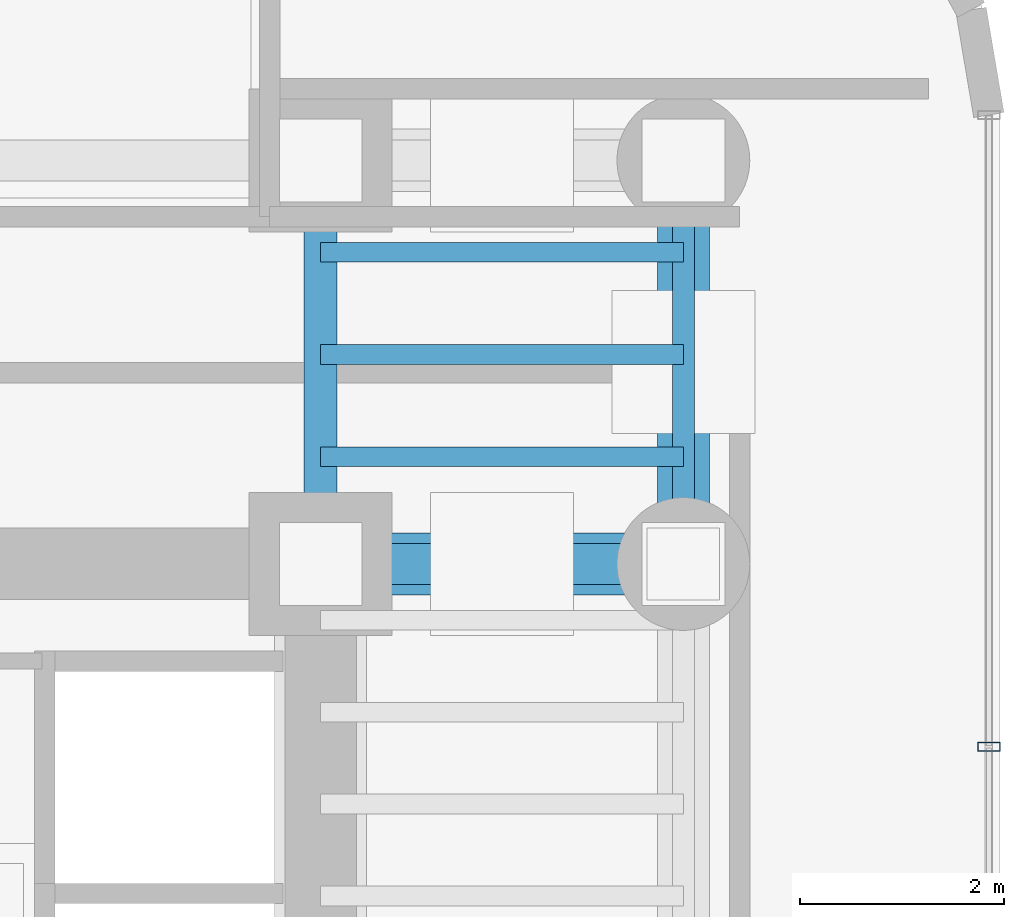
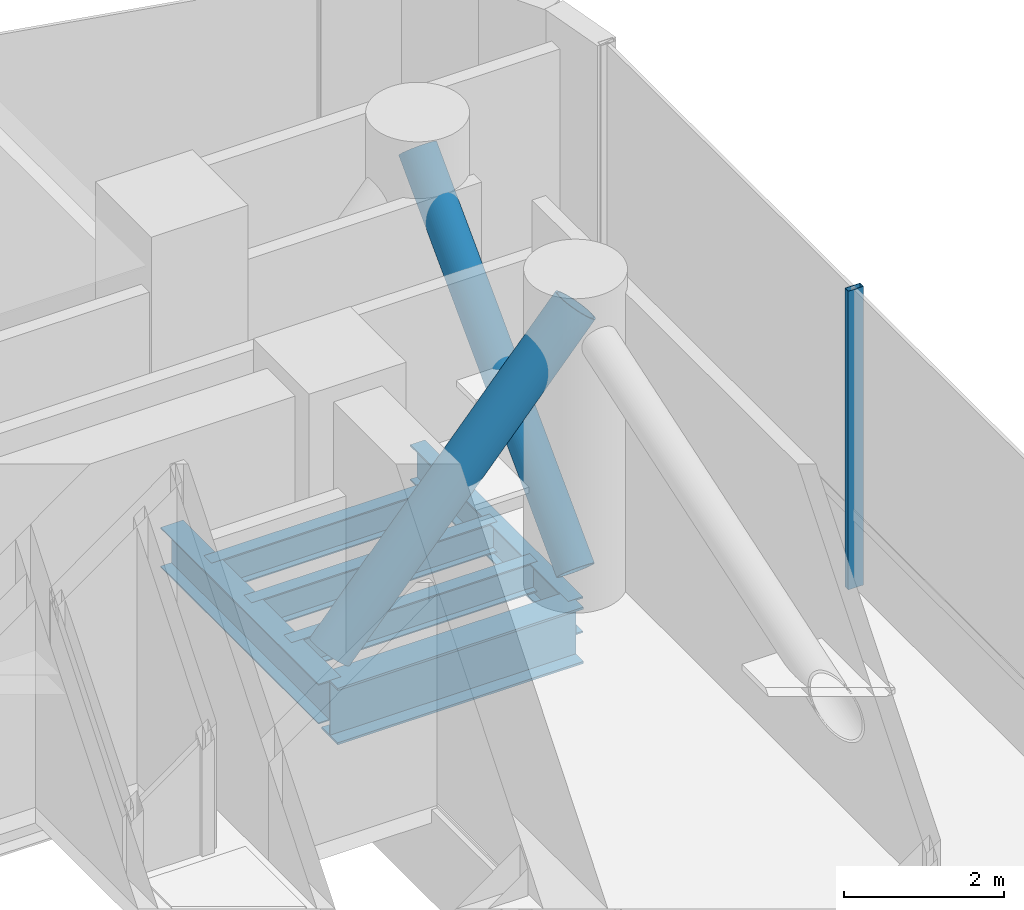
# One storey, part 21 of 39: 6 beams, 3 members, 1 element without a shape of its own.
"""IFC4 building model written with IfcOpenShell, lengths in metres."""

from ifc_helpers import new_model, si_unit, direction, frame, origin, origin_2d, place, context, subcontext, project, spatial, hollow_rectangle, hollow_circle, i_section, extrude, source, transform, mapped, material, material_profile, profile_set, type_object, element, aggregate, save


model = new_model("IFC4")

# Units and contexts
model_context = context("Model", 3, precision=1e-05, world=origin(), true_north=direction((0.0, 1.0)))
body_context = subcontext(model_context, "Body", "Model", "MODEL_VIEW")
ifc_project = project(units=[si_unit("LENGTHUNIT", "METRE"), si_unit("AREAUNIT", "SQUARE_METRE"), si_unit("VOLUMEUNIT", "CUBIC_METRE"), si_unit("PLANEANGLEUNIT", "RADIAN"), si_unit("MASSUNIT", "GRAM", prefix="KILO")], contexts=[model_context])

# Site, building, storey
site_placement = place(None, origin())
site = spatial("IfcSite", under=ifc_project, at=site_placement, CompositionType="ELEMENT")
building_placement = place(site_placement, origin())
building = spatial("IfcBuilding", under=site, at=building_placement, Name="Valdorenza Pilgrim Sanctuary Tower", CompositionType="ELEMENT")
storey_placement = place(building_placement, frame((0.0, 0.0, 96.300048828125)))
storey = spatial("IfcBuildingStorey", under=building, at=storey_placement, Name="L24", CompositionType="ELEMENT", Elevation=96.300048828125)

# Beams
ifc_material_1 = material(Name="Steel ASTM A992 Grade 50", Category="steel")
ifc_material_profile_1 = material_profile(ifc_material_1, i_section(OverallWidth=0.323974609375, OverallDepth=0.611083984375, WebThickness=0.0126953125, FlangeThickness=0.01904296875, at=origin_2d()), Name="W24X104")
ifc_profile_set_1 = profile_set([ifc_material_profile_1], Name="Steel ASTM A992 Grade 50")
beam_type_1 = type_object("IfcBeamType", Name="STR-BM-GRD-W24B", PredefinedType="BEAM", material=ifc_profile_set_1)
shared_shape_1 = source(origin(), body_context, "Body", "SweptSolid", [
    extrude(i_section(OverallWidth=0.323974609375, OverallDepth=0.611083984375, WebThickness=0.0126953125, FlangeThickness=0.01904296875, at=origin_2d()), origin(), (0.0, 0.0, 1.0), 3.949951171875),
])
beam_1_placement = place(storey_placement, frame((24.85009765625, 9.550048828125, -0.545654296875), z_axis=(0.0, 1.0, 0.0), x_axis=(-1.0, 0.0, 0.0)))
element("IfcBeam", 1, at=beam_1_placement, inside=storey, type_object=beam_type_1, Name="L24 Core Tie Girder CB-E-N1N2", PredefinedType="BEAM", context=body_context, shape_type="MappedRepresentation", body=[
    mapped(shared_shape_1, transform((0.0, 0.0, 0.0), x_axis=(1.0, 0.0, 0.0), y_axis=(0.0, 1.0, 0.0), z_axis=(0.0, 0.0, 1.0), scale=1.0)),
])
ifc_material_profile_2 = material_profile(ifc_material_1, i_section(OverallWidth=0.214111328125, OverallDepth=0.549072265625, WebThickness=0.0146484375, FlangeThickness=0.023681640625, at=origin_2d()), Name="W21X93")
ifc_profile_set_2 = profile_set([ifc_material_profile_2], Name="Steel ASTM A992 Grade 50")
beam_type_2 = type_object("IfcBeamType", Name="STR-BM-SPN-W21A", PredefinedType="SPANDREL", material=ifc_profile_set_2)
shared_shape_2 = source(origin(), body_context, "Body", "SweptSolid", [
    extrude(i_section(OverallWidth=0.214111328125, OverallDepth=0.549072265625, WebThickness=0.0146484375, FlangeThickness=0.023681640625, at=origin_2d()), origin(), (0.0, 0.0, 1.0), 3.949951171875),
])
beam_2_placement = place(storey_placement, frame((28.39990234375, 9.550048828125, -0.5146484375), z_axis=(0.0, 1.0, 0.0), x_axis=(-1.0, 0.0, 0.0)))
element("IfcBeam", 2, at=beam_2_placement, inside=storey, type_object=beam_type_2, Name="L24 Spandrel Beam WB-E-N1N2", PredefinedType="SPANDREL", context=body_context, shape_type="MappedRepresentation", body=[
    mapped(shared_shape_2, transform((0.0, 0.0, 0.0), x_axis=(1.0, 0.0, 0.0), y_axis=(0.0, 1.0, 0.0), z_axis=(0.0, 0.0, 1.0), scale=1.0)),
])
ifc_material_profile_3 = material_profile(ifc_material_1, i_section(OverallWidth=0.193115234375, OverallDepth=0.466064453125, WebThickness=0.011474609375, FlangeThickness=0.01904296875, at=origin_2d()), Name="W18X65")
ifc_profile_set_3 = profile_set([ifc_material_profile_3], Name="Steel ASTM A992 Grade 50")
beam_type_3 = type_object("IfcBeamType", Name="STR-BM-JST-W18A", PredefinedType="JOIST", material=ifc_profile_set_3)
shared_shape_3 = source(origin(), body_context, "Body", "SweptSolid", [
    extrude(i_section(OverallWidth=0.193115234375, OverallDepth=0.466064453125, WebThickness=0.011474609375, FlangeThickness=0.01904296875, at=origin_2d()), origin(), (0.0, 0.0, 1.0), 3.5498046875),
])
for number, where, z_axis, x_axis, name in (
    (3, (24.85009765625, 10.60009765625, -0.47314453125), (1.0, 0.0, 0.0), (0.0, 1.0, 0.0), "L24 Composite Floor Joist JST-WB-19"),
    (4, (24.85009765625, 11.60009765625, -0.47314453125), (1.0, 0.0, 0.0), (0.0, 1.0, 0.0), "L24 Composite Floor Joist JST-WB-20"),
    (5, (24.85009765625, 12.60009765625, -0.47314453125), (1.0, 0.0, 0.0), (0.0, 1.0, 0.0), "L24 Composite Floor Joist JST-WB-21"),
):
    element("IfcBeam", number, at=place(storey_placement, frame(where, z_axis=z_axis, x_axis=x_axis)), inside=storey, type_object=beam_type_3, Name=name, PredefinedType="JOIST", context=body_context, shape_type="MappedRepresentation", body=[
        mapped(shared_shape_3, transform((0.0, 0.0, 0.0), x_axis=(1.0, 0.0, 0.0), y_axis=(0.0, 1.0, 0.0), z_axis=(0.0, 0.0, 1.0), scale=1.0)),
    ])
ifc_material_profile_4 = material_profile(ifc_material_1, i_section(OverallWidth=0.39990234375, OverallDepth=0.862060546875, WebThickness=0.019775390625, FlangeThickness=0.032470703125, at=origin_2d()), Name="W33X221")
ifc_profile_set_4 = profile_set([ifc_material_profile_4], Name="Steel ASTM A992 Grade 50")
beam_type_4 = type_object("IfcBeamType", Name="STR-BM-GRD-W33", PredefinedType="BEAM", material=ifc_profile_set_4)
shared_shape_4 = source(origin(), body_context, "Body", "SweptSolid", [
    extrude(i_section(OverallWidth=0.39990234375, OverallDepth=0.862060546875, WebThickness=0.019775390625, FlangeThickness=0.032470703125, at=origin_2d()), origin(), (0.0, 0.0, 1.0), 3.5498046875),
])
beam_3_placement = place(storey_placement, frame((24.85009765625, 9.550048828125, -0.671142578125), z_axis=(1.0, 0.0, 0.0), x_axis=(0.0, 1.0, 0.0)))
element("IfcBeam", 6, at=beam_3_placement, inside=storey, type_object=beam_type_4, Name="L24 Floor Girder WB-XE-N1", PredefinedType="BEAM", context=body_context, shape_type="MappedRepresentation", body=[
    mapped(shared_shape_4, transform((0.0, 0.0, 0.0), x_axis=(1.0, 0.0, 0.0), y_axis=(0.0, 1.0, 0.0), z_axis=(0.0, 0.0, 1.0), scale=1.0)),
])

# Members
ifc_material_2 = material(Name="Steel S355J2", Category="steel")
ifc_material_profile_5 = material_profile(ifc_material_2, hollow_circle(Radius=0.304931640625, WallThickness=0.02490234375, at=origin_2d()), Name="CHS 610x25")
ifc_profile_set_5 = profile_set([ifc_material_profile_5], Name="Steel S355J2")
member_type_1 = type_object("IfcMemberType", Name="STR-MB-CHS-610", PredefinedType="STRUT", material=ifc_profile_set_5)
shared_shape_5 = source(origin(), body_context, "Body", "SweptSolid", [
    extrude(hollow_circle(Radius=0.304931640625, WallThickness=0.02490234375, at=origin_2d()), origin(), (0.0, 0.0, 1.0), 5.385498046875),
])
member_1_placement = place(storey_placement, frame((24.85009765625, 9.550048828125, 0.199951171875), z_axis=(0.659136625441, 0.0, 0.752023210415), x_axis=(0.0, 1.0, 0.0)))
element("IfcMember", 7, at=member_1_placement, inside=storey, type_object=member_type_1, Name="L24 East Wing Outrigger Truss Strut WB3", PredefinedType="STRUT", context=body_context, shape_type="MappedRepresentation", body=[
    mapped(shared_shape_5, transform((0.0, 0.0, 0.0), x_axis=(1.0, 0.0, 0.0), y_axis=(0.0, 1.0, 0.0), z_axis=(0.0, 0.0, 1.0), scale=1.0)),
])
ifc_material_profile_6 = material_profile(ifc_material_2, hollow_circle(Radius=0.25390625, WallThickness=0.02001953125, at=origin_2d()), Name="CHS 508x20")
ifc_profile_set_6 = profile_set([ifc_material_profile_6], Name="Steel S355J2")
member_type_2 = type_object("IfcMemberType", Name="STR-MB-CHS-508", PredefinedType="STRUT", material=ifc_profile_set_6)
shared_shape_6 = source(origin(), body_context, "Body", "SweptSolid", [
    extrude(hollow_circle(Radius=0.25390625, WallThickness=0.02001953125, at=origin_2d()), origin(), (0.0, 0.0, 1.0), 5.6572265625),
])
member_2_placement = place(storey_placement, frame((28.39990234375, 9.550048828125, 0.199951171875), z_axis=(0.0, 0.698204663057, 0.715898210981), x_axis=(-1.0, 0.0, 0.0)))
element("IfcMember", 8, at=member_2_placement, inside=storey, type_object=member_type_2, Name="L24 East Wing Belt Truss Strut E3", PredefinedType="STRUT", context=body_context, shape_type="MappedRepresentation", body=[
    mapped(shared_shape_6, transform((0.0, 0.0, 0.0), x_axis=(1.0, 0.0, 0.0), y_axis=(0.0, 1.0, 0.0), z_axis=(0.0, 0.0, 1.0), scale=1.0)),
])

# Curtain wall, member
ifc_material_3 = material(Name="Curtain-wall IGU glazing", Category="glass")
curtain_wall_type = type_object("IfcCurtainWallType", Name="CW-SYS-03", PredefinedType="NOTDEFINED", material=ifc_material_3)
curtain_wall_placement = place(storey_placement, origin())
curtain_wall = element("IfcCurtainWall", 9, at=curtain_wall_placement, inside=storey, type_object=curtain_wall_type, Name="L24 Curtain Wall CW-L24-1-21", PredefinedType="NOTDEFINED")
ifc_material_4 = material(Name="Anodised aluminium AW-6060", Category="aluminium")
ifc_material_profile_7 = material_profile(ifc_material_4, hollow_rectangle(XDim=0.0849609375, YDim=0.219970703125, WallThickness=0.0048828125, at=origin_2d()), Name="ALU-M 220x85x5")
ifc_profile_set_7 = profile_set([ifc_material_profile_7], Name="Anodised aluminium AW-6060")
member_type_3 = type_object("IfcMemberType", Name="CW-MUL-03", PredefinedType="MULLION", material=ifc_profile_set_7)
shared_shape_7 = source(origin(), body_context, "Body", "SweptSolid", [
    extrude(hollow_rectangle(XDim=0.0849609375, YDim=0.219970703125, WallThickness=0.0048828125, at=origin_2d()), origin(), (0.0, 0.0, 1.0), 4.56005859375),
])
member_3_placement = place(storey_placement, frame((31.389892578125, 7.761474609375, 0.0), z_axis=(0.0, 0.0, 1.0), x_axis=(0.0, -1.0, 0.0)))
member_3 = element("IfcMember", 10, at=member_3_placement, type_object=member_type_3, Name="CW-L24-1-21 Mullion 2", PredefinedType="MULLION", context=body_context, shape_type="MappedRepresentation", body=[
    mapped(shared_shape_7, transform((0.0, 0.0, 0.0), x_axis=(1.0, 0.0, 0.0), y_axis=(0.0, 1.0, 0.0), z_axis=(0.0, 0.0, 1.0), scale=1.0)),
])
aggregate(curtain_wall, [member_3])

save(model, "model.ifc")
